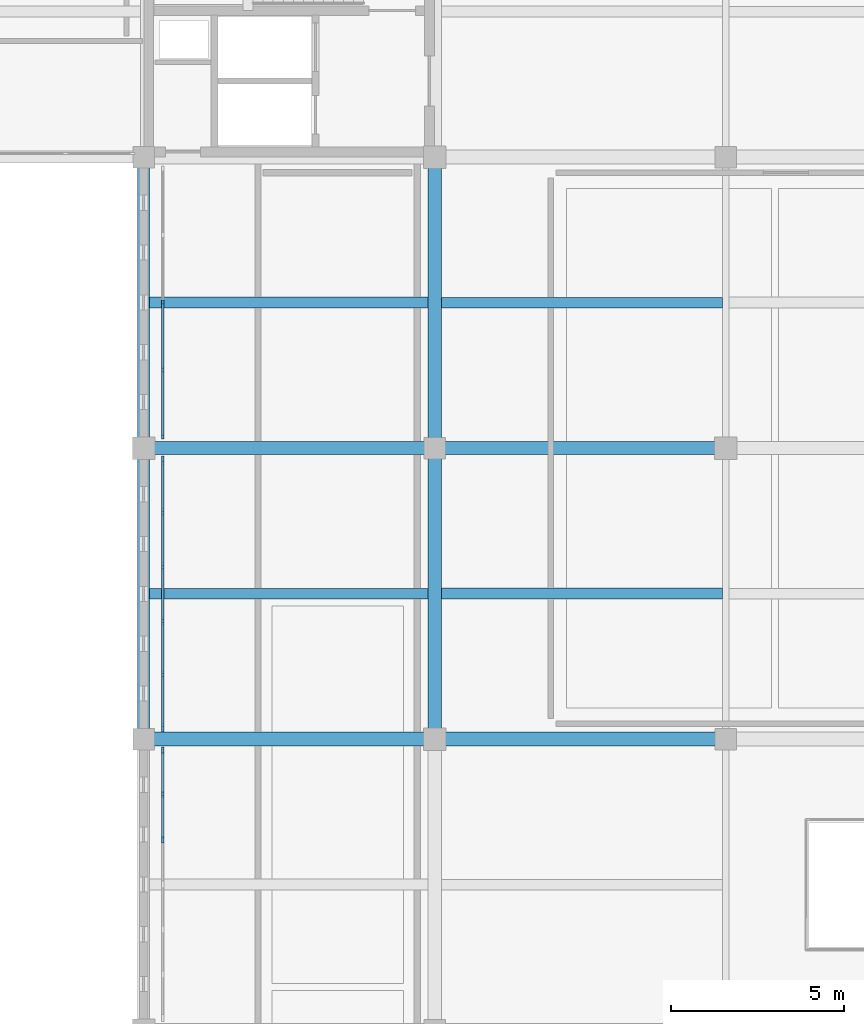
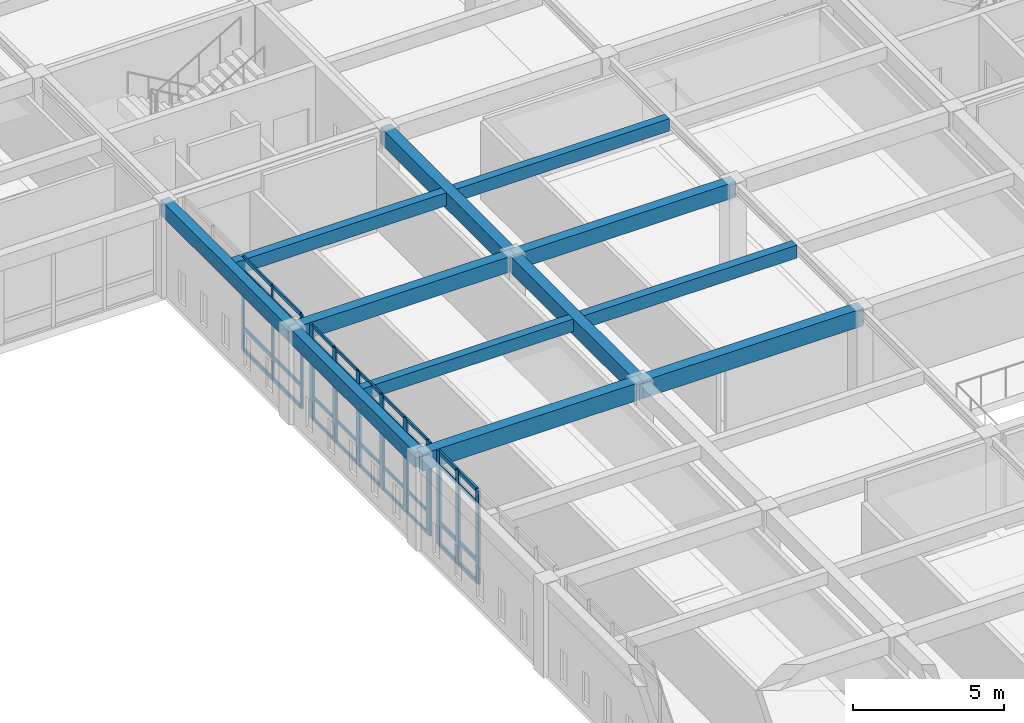
# One storey, part 15 of 47: 48 members, 12 beams, 3 elements without a shape of their own.
"""IFC4 building model written with IfcOpenShell, lengths in metres."""

from ifc_helpers import new_model, si_unit, direction, frame, origin, origin_2d, place, context, subcontext, project, spatial, rectangle, extrude, material, layer, layer_set, material_profile, profile_set, type_object, element, aggregate, save


model = new_model("IFC4")

# Units and contexts
model_context = context("Model", 3, precision=1e-05, world=origin(), true_north=direction((0.0, 1.0)))
body_context = subcontext(model_context, "Body", "Model", "MODEL_VIEW")
ifc_project = project(units=[si_unit("LENGTHUNIT", "METRE"), si_unit("AREAUNIT", "SQUARE_METRE"), si_unit("VOLUMEUNIT", "CUBIC_METRE"), si_unit("PLANEANGLEUNIT", "RADIAN"), si_unit("MASSUNIT", "GRAM", prefix="KILO")], contexts=[model_context])

# Site, building, storey
site_placement = place(None, origin())
site = spatial("IfcSite", under=ifc_project, at=site_placement, CompositionType="ELEMENT")
building_placement = place(site_placement, origin())
building = spatial("IfcBuilding", under=site, at=building_placement, Name="Kveldsbrygga Polytechnic", CompositionType="ELEMENT")
storey_placement = place(building_placement, frame((0.0, 0.0, 13.93994140625)))
storey = spatial("IfcBuildingStorey", under=building, at=storey_placement, Name="L03", CompositionType="ELEMENT", Elevation=13.93994140625)

# Beams
ifc_material_1 = material(Name="Concrete C35/45", Category="concrete")
ifc_material_profile_1 = material_profile(ifc_material_1, rectangle(XDim=0.3798828125, YDim=0.6201171875, at=origin_2d()), Name="RC 380x620")
ifc_profile_set_1 = profile_set([ifc_material_profile_1], Name="Concrete C35/45")
beam_type_1 = type_object("IfcBeamType", Name="BM-RC-380x620", PredefinedType="BEAM", material=ifc_profile_set_1)
beam_1_placement = place(storey_placement, frame((126.0, 75.60009765625, 3.43994140625), z_axis=(1.0, 0.0, 0.0), x_axis=(0.0, 1.0, 0.0)))
element("IfcBeam", 1, at=beam_1_placement, inside=storey, type_object=beam_type_1, Name="Primary Beam BMX-L03-15to16-09", PredefinedType="BEAM", context=body_context, shape_type="SweptSolid", body=[
    extrude(rectangle(XDim=0.3798828125, YDim=0.6201171875, at=origin_2d()), origin(), (0.0, 0.0, 1.0), 8.39990234375),
])
beam_2_placement = place(storey_placement, frame((134.39990234375, 75.60009765625, 3.43994140625), z_axis=(1.0, 0.0, 0.0), x_axis=(0.0, 1.0, 0.0)))
element("IfcBeam", 2, at=beam_2_placement, inside=storey, type_object=beam_type_1, Name="Primary Beam BMX-L03-16to17-09", PredefinedType="BEAM", context=body_context, shape_type="SweptSolid", body=[
    extrude(rectangle(XDim=0.3798828125, YDim=0.6201171875, at=origin_2d()), origin(), (0.0, 0.0, 1.0), 8.400146484375),
])
ifc_material_profile_2 = material_profile(ifc_material_1, rectangle(XDim=0.39990234375, YDim=0.64990234375, at=origin_2d()), Name="RC 400x650")
ifc_profile_set_2 = profile_set([ifc_material_profile_2], Name="Concrete C35/45")
beam_type_2 = type_object("IfcBeamType", Name="BM-RC-400x650", PredefinedType="BEAM", material=ifc_profile_set_2)
beam_3_placement = place(storey_placement, frame((134.39990234375, 67.199951171875, 3.425048828125), z_axis=(0.0, 1.0, 0.0), x_axis=(-1.0, 0.0, 0.0)))
element("IfcBeam", 3, at=beam_3_placement, inside=storey, type_object=beam_type_2, Name="Primary Beam BMY-L03-16-08to09", PredefinedType="BEAM", context=body_context, shape_type="SweptSolid", body=[
    extrude(rectangle(XDim=0.39990234375, YDim=0.64990234375, at=origin_2d()), origin(), (0.0, 0.0, 1.0), 8.400146484375),
])
beam_4_placement = place(storey_placement, frame((134.39990234375, 75.60009765625, 3.425048828125), z_axis=(0.0, 1.0, 0.0), x_axis=(-1.0, 0.0, 0.0)))
element("IfcBeam", 4, at=beam_4_placement, inside=storey, type_object=beam_type_2, Name="Primary Beam BMY-L03-16-09to10", PredefinedType="BEAM", context=body_context, shape_type="SweptSolid", body=[
    extrude(rectangle(XDim=0.39990234375, YDim=0.64990234375, at=origin_2d()), origin(), (0.0, 0.0, 1.0), 8.39990234375),
])
ifc_material_profile_3 = material_profile(ifc_material_1, rectangle(XDim=0.39990234375, YDim=0.699951171875, at=origin_2d()), Name="RC 400x700")
ifc_profile_set_3 = profile_set([ifc_material_profile_3], Name="Concrete C35/45")
beam_type_3 = type_object("IfcBeamType", Name="BM-RC-400x700", PredefinedType="BEAM", material=ifc_profile_set_3)
beam_5_placement = place(storey_placement, frame((126.0, 67.199951171875, 3.400146484375), z_axis=(1.0, 0.0, 0.0), x_axis=(0.0, 1.0, 0.0)))
element("IfcBeam", 5, at=beam_5_placement, inside=storey, type_object=beam_type_3, Name="Primary Beam BMX-L03-15to16-08", PredefinedType="BEAM", context=body_context, shape_type="SweptSolid", body=[
    extrude(rectangle(XDim=0.39990234375, YDim=0.699951171875, at=origin_2d()), origin(), (0.0, 0.0, 1.0), 8.39990234375),
])
beam_6_placement = place(storey_placement, frame((134.39990234375, 67.199951171875, 3.400146484375), z_axis=(1.0, 0.0, 0.0), x_axis=(0.0, 1.0, 0.0)))
element("IfcBeam", 6, at=beam_6_placement, inside=storey, type_object=beam_type_3, Name="Primary Beam BMX-L03-16to17-08", PredefinedType="BEAM", context=body_context, shape_type="SweptSolid", body=[
    extrude(rectangle(XDim=0.39990234375, YDim=0.699951171875, at=origin_2d()), origin(), (0.0, 0.0, 1.0), 8.400146484375),
])
ifc_material_profile_4 = material_profile(ifc_material_1, rectangle(XDim=0.35009765625, YDim=0.60009765625, at=origin_2d()), Name="RC 350x600")
ifc_profile_set_4 = profile_set([ifc_material_profile_4], Name="Concrete C35/45")
beam_type_4 = type_object("IfcBeamType", Name="BM-SPANDREL-600", PredefinedType="T_BEAM", material=ifc_profile_set_4)
beam_7_placement = place(storey_placement, frame((126.0, 67.199951171875, 3.449951171875), z_axis=(0.0, 1.0, 0.0), x_axis=(-1.0, 0.0, 0.0)))
element("IfcBeam", 7, at=beam_7_placement, inside=storey, type_object=beam_type_4, Name="Primary Beam BMY-L03-15-08to09", PredefinedType="T_BEAM", context=body_context, shape_type="SweptSolid", body=[
    extrude(rectangle(XDim=0.35009765625, YDim=0.60009765625, at=origin_2d()), origin(), (0.0, 0.0, 1.0), 8.400146484375),
])
beam_8_placement = place(storey_placement, frame((126.0, 75.60009765625, 3.449951171875), z_axis=(0.0, 1.0, 0.0), x_axis=(-1.0, 0.0, 0.0)))
element("IfcBeam", 8, at=beam_8_placement, inside=storey, type_object=beam_type_4, Name="Primary Beam BMY-L03-15-09to10", PredefinedType="T_BEAM", context=body_context, shape_type="SweptSolid", body=[
    extrude(rectangle(XDim=0.35009765625, YDim=0.60009765625, at=origin_2d()), origin(), (0.0, 0.0, 1.0), 8.39990234375),
])

# Curtain wall, members
ifc_material_2 = material(Name="Anodised aluminium AW-6060", Category="aluminium")
ifc_layer_1 = layer(ifc_material_2, 0.199951171875)
ifc_layer_set_1 = layer_set([ifc_layer_1], Name="Anodised aluminium AW-6060")
curtain_wall_type_1 = type_object("IfcCurtainWallType", Name="CW-LANC-E", PredefinedType="USERDEFINED", material=ifc_layer_set_1)
curtain_wall_1_placement = place(storey_placement, origin())
curtain_wall_1 = element("IfcCurtainWall", 9, at=curtain_wall_1_placement, inside=storey, type_object=curtain_wall_type_1, Name="Curtain Wall CW-L03-Y-15-09", ObjectType="UNITISED CURTAIN WALL", PredefinedType="USERDEFINED")
ifc_material_profile_5 = material_profile(ifc_material_2, rectangle(XDim=0.06005859375, YDim=0.139892578125, at=origin_2d()), Name="ALU 60x140")
ifc_profile_set_5 = profile_set([ifc_material_profile_5], Name="Anodised aluminium AW-6060")
member_type_1 = type_object("IfcMemberType", Name="CW-MUL-140", PredefinedType="MULLION", material=ifc_profile_set_5)
member_1_placement = place(storey_placement, frame((126.550048828125, 75.93994140625, 0.0), z_axis=(0.0, 0.0, 1.0), x_axis=(-1.0, 0.0, 0.0)))
member_1 = element("IfcMember", 10, at=member_1_placement, type_object=member_type_1, Name="CW-05 mullion 1", PredefinedType="MULLION", context=body_context, shape_type="SweptSolid", body=[
    extrude(rectangle(XDim=0.06005859375, YDim=0.139892578125, at=origin_2d()), origin(), (0.0, 0.0, 1.0), 3.780029296875),
])
member_2_placement = place(storey_placement, frame((126.550048828125, 77.858642578125, 0.0), z_axis=(0.0, 0.0, 1.0), x_axis=(-1.0, 0.0, 0.0)))
member_2 = element("IfcMember", 11, at=member_2_placement, type_object=member_type_1, Name="CW-05 mullion 2", PredefinedType="MULLION", context=body_context, shape_type="SweptSolid", body=[
    extrude(rectangle(XDim=0.06005859375, YDim=0.139892578125, at=origin_2d()), origin(), (0.0, 0.0, 1.0), 3.780029296875),
])
member_3_placement = place(storey_placement, frame((126.550048828125, 79.8076171875, 0.0), z_axis=(0.0, 0.0, 1.0), x_axis=(-1.0, 0.0, 0.0)))
member_3 = element("IfcMember", 12, at=member_3_placement, type_object=member_type_1, Name="CW-05 mullion 3", PredefinedType="MULLION", context=body_context, shape_type="SweptSolid", body=[
    extrude(rectangle(XDim=0.06005859375, YDim=0.139892578125, at=origin_2d()), origin(), (0.0, 0.0, 1.0), 3.780029296875),
])

ifc_layer_2 = layer(ifc_material_2, 0.159912109375)
ifc_layer_set_2 = layer_set([ifc_layer_2], Name="Anodised aluminium AW-6060")
curtain_wall_type_2 = type_object("IfcCurtainWallType", Name="CW-CLER-C", PredefinedType="USERDEFINED", material=ifc_layer_set_2)
curtain_wall_2_placement = place(storey_placement, origin())
curtain_wall_2 = element("IfcCurtainWall", 13, at=curtain_wall_2_placement, inside=storey, type_object=curtain_wall_type_2, Name="Curtain Wall CW-L03-Y-15-07", ObjectType="STICK CURTAIN WALL", PredefinedType="USERDEFINED")
ifc_material_profile_6 = material_profile(ifc_material_2, rectangle(XDim=0.074951171875, YDim=0.199951171875, at=origin_2d()), Name="ALU 75x200")
ifc_profile_set_6 = profile_set([ifc_material_profile_6], Name="Anodised aluminium AW-6060")
member_type_2 = type_object("IfcMemberType", Name="CW-MUL-200", PredefinedType="MULLION", material=ifc_profile_set_6)
member_4_placement = place(storey_placement, frame((126.550048828125, 64.306640625, 0.0), z_axis=(0.0, 0.0, 1.0), x_axis=(-1.0, 0.0, 0.0)))
member_4 = element("IfcMember", 14, at=member_4_placement, type_object=member_type_2, Name="CW-03 mullion 5", PredefinedType="MULLION", context=body_context, shape_type="SweptSolid", body=[
    extrude(rectangle(XDim=0.074951171875, YDim=0.199951171875, at=origin_2d()), origin(), (0.0, 0.0, 1.0), 3.780029296875),
])
member_5_placement = place(storey_placement, frame((126.550048828125, 65.605712890625, 0.0), z_axis=(0.0, 0.0, 1.0), x_axis=(-1.0, 0.0, 0.0)))
member_5 = element("IfcMember", 15, at=member_5_placement, type_object=member_type_2, Name="CW-03 mullion 6", PredefinedType="MULLION", context=body_context, shape_type="SweptSolid", body=[
    extrude(rectangle(XDim=0.074951171875, YDim=0.199951171875, at=origin_2d()), origin(), (0.0, 0.0, 1.0), 3.780029296875),
])
member_6_placement = place(storey_placement, frame((126.550048828125, 66.867431640625, 0.0), z_axis=(0.0, 0.0, 1.0), x_axis=(-1.0, 0.0, 0.0)))
member_6 = element("IfcMember", 16, at=member_6_placement, type_object=member_type_2, Name="CW-03 mullion 7", PredefinedType="MULLION", context=body_context, shape_type="SweptSolid", body=[
    extrude(rectangle(XDim=0.074951171875, YDim=0.199951171875, at=origin_2d()), origin(), (0.0, 0.0, 1.0), 3.780029296875),
])

ifc_layer_3 = layer(ifc_material_2, 0.179931640625)
ifc_layer_set_3 = layer_set([ifc_layer_3], Name="Anodised aluminium AW-6060")
curtain_wall_type_3 = type_object("IfcCurtainWallType", Name="CW-LANC-D", PredefinedType="USERDEFINED", material=ifc_layer_set_3)
curtain_wall_3_placement = place(storey_placement, origin())
curtain_wall_3 = element("IfcCurtainWall", 17, at=curtain_wall_3_placement, inside=storey, type_object=curtain_wall_type_3, Name="Curtain Wall CW-L03-Y-15-08", ObjectType="UNITISED CURTAIN WALL", PredefinedType="USERDEFINED")
ifc_material_profile_7 = material_profile(ifc_material_2, rectangle(XDim=0.074951171875, YDim=0.239990234375, at=origin_2d()), Name="ALU 75x240")
ifc_profile_set_7 = profile_set([ifc_material_profile_7], Name="Anodised aluminium AW-6060")
member_type_3 = type_object("IfcMemberType", Name="CW-MUL-240", PredefinedType="MULLION", material=ifc_profile_set_7)
member_7_placement = place(storey_placement, frame((126.550048828125, 67.532470703125, 0.0), z_axis=(0.0, 0.0, 1.0), x_axis=(-1.0, 0.0, 0.0)))
member_7 = element("IfcMember", 18, at=member_7_placement, type_object=member_type_3, Name="CW-04 mullion 1", PredefinedType="MULLION", context=body_context, shape_type="SweptSolid", body=[
    extrude(rectangle(XDim=0.074951171875, YDim=0.239990234375, at=origin_2d()), origin(), (0.0, 0.0, 1.0), 3.780029296875),
])
member_8_placement = place(storey_placement, frame((126.550048828125, 69.053955078125, 0.0), z_axis=(0.0, 0.0, 1.0), x_axis=(-1.0, 0.0, 0.0)))
member_8 = element("IfcMember", 19, at=member_8_placement, type_object=member_type_3, Name="CW-04 mullion 2", PredefinedType="MULLION", context=body_context, shape_type="SweptSolid", body=[
    extrude(rectangle(XDim=0.074951171875, YDim=0.239990234375, at=origin_2d()), origin(), (0.0, 0.0, 1.0), 3.780029296875),
])
member_9_placement = place(storey_placement, frame((126.550048828125, 70.613037109375, 0.0), z_axis=(0.0, 0.0, 1.0), x_axis=(-1.0, 0.0, 0.0)))
member_9 = element("IfcMember", 20, at=member_9_placement, type_object=member_type_3, Name="CW-04 mullion 3", PredefinedType="MULLION", context=body_context, shape_type="SweptSolid", body=[
    extrude(rectangle(XDim=0.074951171875, YDim=0.239990234375, at=origin_2d()), origin(), (0.0, 0.0, 1.0), 3.780029296875),
])
member_10_placement = place(storey_placement, frame((126.550048828125, 72.172119140625, 0.0), z_axis=(0.0, 0.0, 1.0), x_axis=(-1.0, 0.0, 0.0)))
member_10 = element("IfcMember", 21, at=member_10_placement, type_object=member_type_3, Name="CW-04 mullion 4", PredefinedType="MULLION", context=body_context, shape_type="SweptSolid", body=[
    extrude(rectangle(XDim=0.074951171875, YDim=0.239990234375, at=origin_2d()), origin(), (0.0, 0.0, 1.0), 3.780029296875),
])
member_11_placement = place(storey_placement, frame((126.550048828125, 73.73095703125, 0.0), z_axis=(0.0, 0.0, 1.0), x_axis=(-1.0, 0.0, 0.0)))
member_11 = element("IfcMember", 22, at=member_11_placement, type_object=member_type_3, Name="CW-04 mullion 5", PredefinedType="MULLION", context=body_context, shape_type="SweptSolid", body=[
    extrude(rectangle(XDim=0.074951171875, YDim=0.239990234375, at=origin_2d()), origin(), (0.0, 0.0, 1.0), 3.780029296875),
])
member_12_placement = place(storey_placement, frame((126.550048828125, 75.25244140625, 0.0), z_axis=(0.0, 0.0, 1.0), x_axis=(-1.0, 0.0, 0.0)))
member_12 = element("IfcMember", 23, at=member_12_placement, type_object=member_type_3, Name="CW-04 mullion 6", PredefinedType="MULLION", context=body_context, shape_type="SweptSolid", body=[
    extrude(rectangle(XDim=0.074951171875, YDim=0.239990234375, at=origin_2d()), origin(), (0.0, 0.0, 1.0), 3.780029296875),
])
ifc_material_profile_8 = material_profile(ifc_material_2, rectangle(XDim=0.06005859375, YDim=0.1201171875, at=origin_2d()), Name="ALU 60x120")
ifc_profile_set_8 = profile_set([ifc_material_profile_8], Name="Anodised aluminium AW-6060")
member_type_4 = type_object("IfcMemberType", Name="CW-TRN-120", PredefinedType="USERDEFINED", material=ifc_profile_set_8)
member_13_placement = place(storey_placement, frame((126.550048828125, 67.570068359375, 0.030029296875), z_axis=(0.0, 1.0, 0.0), x_axis=(-1.0, 0.0, 0.0)))
member_13 = element("IfcMember", 24, at=member_13_placement, type_object=member_type_4, Name="CW-04 transom 1.1", ObjectType="TRANSOM", PredefinedType="USERDEFINED", context=body_context, shape_type="SweptSolid", body=[
    extrude(rectangle(XDim=0.06005859375, YDim=0.1201171875, at=origin_2d()), origin(), (0.0, 0.0, 1.0), 1.446533203125),
])
member_14_placement = place(storey_placement, frame((126.550048828125, 67.570068359375, 0.900146484375), z_axis=(0.0, 1.0, 0.0), x_axis=(-1.0, 0.0, 0.0)))
member_14 = element("IfcMember", 25, at=member_14_placement, type_object=member_type_4, Name="CW-04 transom 1.2", ObjectType="TRANSOM", PredefinedType="USERDEFINED", context=body_context, shape_type="SweptSolid", body=[
    extrude(rectangle(XDim=0.06005859375, YDim=0.1201171875, at=origin_2d()), origin(), (0.0, 0.0, 1.0), 1.446533203125),
])
member_15_placement = place(storey_placement, frame((126.550048828125, 67.570068359375, 3.22998046875), z_axis=(0.0, 1.0, 0.0), x_axis=(-1.0, 0.0, 0.0)))
member_15 = element("IfcMember", 26, at=member_15_placement, type_object=member_type_4, Name="CW-04 transom 1.3", ObjectType="TRANSOM", PredefinedType="USERDEFINED", context=body_context, shape_type="SweptSolid", body=[
    extrude(rectangle(XDim=0.06005859375, YDim=0.1201171875, at=origin_2d()), origin(), (0.0, 0.0, 1.0), 1.446533203125),
])
member_16_placement = place(storey_placement, frame((126.550048828125, 67.570068359375, 3.75), z_axis=(0.0, 1.0, 0.0), x_axis=(-1.0, 0.0, 0.0)))
member_16 = element("IfcMember", 27, at=member_16_placement, type_object=member_type_4, Name="CW-04 transom 1.4", ObjectType="TRANSOM", PredefinedType="USERDEFINED", context=body_context, shape_type="SweptSolid", body=[
    extrude(rectangle(XDim=0.06005859375, YDim=0.1201171875, at=origin_2d()), origin(), (0.0, 0.0, 1.0), 1.446533203125),
])
member_17_placement = place(storey_placement, frame((126.550048828125, 69.091552734375, 0.030029296875), z_axis=(0.0, 1.0, 0.0), x_axis=(-1.0, 0.0, 0.0)))
member_17 = element("IfcMember", 28, at=member_17_placement, type_object=member_type_4, Name="CW-04 transom 2.1", ObjectType="TRANSOM", PredefinedType="USERDEFINED", context=body_context, shape_type="SweptSolid", body=[
    extrude(rectangle(XDim=0.06005859375, YDim=0.1201171875, at=origin_2d()), origin(), (0.0, 0.0, 1.0), 1.48388671875),
])
member_18_placement = place(storey_placement, frame((126.550048828125, 69.091552734375, 0.900146484375), z_axis=(0.0, 1.0, 0.0), x_axis=(-1.0, 0.0, 0.0)))
member_18 = element("IfcMember", 29, at=member_18_placement, type_object=member_type_4, Name="CW-04 transom 2.2", ObjectType="TRANSOM", PredefinedType="USERDEFINED", context=body_context, shape_type="SweptSolid", body=[
    extrude(rectangle(XDim=0.06005859375, YDim=0.1201171875, at=origin_2d()), origin(), (0.0, 0.0, 1.0), 1.48388671875),
])
member_19_placement = place(storey_placement, frame((126.550048828125, 69.091552734375, 3.22998046875), z_axis=(0.0, 1.0, 0.0), x_axis=(-1.0, 0.0, 0.0)))
member_19 = element("IfcMember", 30, at=member_19_placement, type_object=member_type_4, Name="CW-04 transom 2.3", ObjectType="TRANSOM", PredefinedType="USERDEFINED", context=body_context, shape_type="SweptSolid", body=[
    extrude(rectangle(XDim=0.06005859375, YDim=0.1201171875, at=origin_2d()), origin(), (0.0, 0.0, 1.0), 1.48388671875),
])
member_20_placement = place(storey_placement, frame((126.550048828125, 69.091552734375, 3.75), z_axis=(0.0, 1.0, 0.0), x_axis=(-1.0, 0.0, 0.0)))
member_20 = element("IfcMember", 31, at=member_20_placement, type_object=member_type_4, Name="CW-04 transom 2.4", ObjectType="TRANSOM", PredefinedType="USERDEFINED", context=body_context, shape_type="SweptSolid", body=[
    extrude(rectangle(XDim=0.06005859375, YDim=0.1201171875, at=origin_2d()), origin(), (0.0, 0.0, 1.0), 1.48388671875),
])
member_21_placement = place(storey_placement, frame((126.550048828125, 70.650390625, 0.030029296875), z_axis=(0.0, 1.0, 0.0), x_axis=(-1.0, 0.0, 0.0)))
member_21 = element("IfcMember", 32, at=member_21_placement, type_object=member_type_4, Name="CW-04 transom 3.1", ObjectType="TRANSOM", PredefinedType="USERDEFINED", context=body_context, shape_type="SweptSolid", body=[
    extrude(rectangle(XDim=0.06005859375, YDim=0.1201171875, at=origin_2d()), origin(), (0.0, 0.0, 1.0), 1.484130859375),
])
member_22_placement = place(storey_placement, frame((126.550048828125, 70.650390625, 0.900146484375), z_axis=(0.0, 1.0, 0.0), x_axis=(-1.0, 0.0, 0.0)))
member_22 = element("IfcMember", 33, at=member_22_placement, type_object=member_type_4, Name="CW-04 transom 3.2", ObjectType="TRANSOM", PredefinedType="USERDEFINED", context=body_context, shape_type="SweptSolid", body=[
    extrude(rectangle(XDim=0.06005859375, YDim=0.1201171875, at=origin_2d()), origin(), (0.0, 0.0, 1.0), 1.484130859375),
])
member_23_placement = place(storey_placement, frame((126.550048828125, 70.650390625, 3.22998046875), z_axis=(0.0, 1.0, 0.0), x_axis=(-1.0, 0.0, 0.0)))
member_23 = element("IfcMember", 34, at=member_23_placement, type_object=member_type_4, Name="CW-04 transom 3.3", ObjectType="TRANSOM", PredefinedType="USERDEFINED", context=body_context, shape_type="SweptSolid", body=[
    extrude(rectangle(XDim=0.06005859375, YDim=0.1201171875, at=origin_2d()), origin(), (0.0, 0.0, 1.0), 1.484130859375),
])
member_24_placement = place(storey_placement, frame((126.550048828125, 70.650390625, 3.75), z_axis=(0.0, 1.0, 0.0), x_axis=(-1.0, 0.0, 0.0)))
member_24 = element("IfcMember", 35, at=member_24_placement, type_object=member_type_4, Name="CW-04 transom 3.4", ObjectType="TRANSOM", PredefinedType="USERDEFINED", context=body_context, shape_type="SweptSolid", body=[
    extrude(rectangle(XDim=0.06005859375, YDim=0.1201171875, at=origin_2d()), origin(), (0.0, 0.0, 1.0), 1.484130859375),
])
member_25_placement = place(storey_placement, frame((126.550048828125, 72.20947265625, 0.030029296875), z_axis=(0.0, 1.0, 0.0), x_axis=(-1.0, 0.0, 0.0)))
member_25 = element("IfcMember", 36, at=member_25_placement, type_object=member_type_4, Name="CW-04 transom 4.1", ObjectType="TRANSOM", PredefinedType="USERDEFINED", context=body_context, shape_type="SweptSolid", body=[
    extrude(rectangle(XDim=0.06005859375, YDim=0.1201171875, at=origin_2d()), origin(), (0.0, 0.0, 1.0), 1.484130859375),
])
member_26_placement = place(storey_placement, frame((126.550048828125, 72.20947265625, 0.900146484375), z_axis=(0.0, 1.0, 0.0), x_axis=(-1.0, 0.0, 0.0)))
member_26 = element("IfcMember", 37, at=member_26_placement, type_object=member_type_4, Name="CW-04 transom 4.2", ObjectType="TRANSOM", PredefinedType="USERDEFINED", context=body_context, shape_type="SweptSolid", body=[
    extrude(rectangle(XDim=0.06005859375, YDim=0.1201171875, at=origin_2d()), origin(), (0.0, 0.0, 1.0), 1.484130859375),
])
member_27_placement = place(storey_placement, frame((126.550048828125, 72.20947265625, 3.22998046875), z_axis=(0.0, 1.0, 0.0), x_axis=(-1.0, 0.0, 0.0)))
member_27 = element("IfcMember", 38, at=member_27_placement, type_object=member_type_4, Name="CW-04 transom 4.3", ObjectType="TRANSOM", PredefinedType="USERDEFINED", context=body_context, shape_type="SweptSolid", body=[
    extrude(rectangle(XDim=0.06005859375, YDim=0.1201171875, at=origin_2d()), origin(), (0.0, 0.0, 1.0), 1.484130859375),
])
member_28_placement = place(storey_placement, frame((126.550048828125, 72.20947265625, 3.75), z_axis=(0.0, 1.0, 0.0), x_axis=(-1.0, 0.0, 0.0)))
member_28 = element("IfcMember", 39, at=member_28_placement, type_object=member_type_4, Name="CW-04 transom 4.4", ObjectType="TRANSOM", PredefinedType="USERDEFINED", context=body_context, shape_type="SweptSolid", body=[
    extrude(rectangle(XDim=0.06005859375, YDim=0.1201171875, at=origin_2d()), origin(), (0.0, 0.0, 1.0), 1.484130859375),
])
member_29_placement = place(storey_placement, frame((126.550048828125, 73.7685546875, 0.030029296875), z_axis=(0.0, 1.0, 0.0), x_axis=(-1.0, 0.0, 0.0)))
member_29 = element("IfcMember", 40, at=member_29_placement, type_object=member_type_4, Name="CW-04 transom 5.1", ObjectType="TRANSOM", PredefinedType="USERDEFINED", context=body_context, shape_type="SweptSolid", body=[
    extrude(rectangle(XDim=0.06005859375, YDim=0.1201171875, at=origin_2d()), origin(), (0.0, 0.0, 1.0), 1.446533203125),
])
member_30_placement = place(storey_placement, frame((126.550048828125, 73.7685546875, 0.900146484375), z_axis=(0.0, 1.0, 0.0), x_axis=(-1.0, 0.0, 0.0)))
member_30 = element("IfcMember", 41, at=member_30_placement, type_object=member_type_4, Name="CW-04 transom 5.2", ObjectType="TRANSOM", PredefinedType="USERDEFINED", context=body_context, shape_type="SweptSolid", body=[
    extrude(rectangle(XDim=0.06005859375, YDim=0.1201171875, at=origin_2d()), origin(), (0.0, 0.0, 1.0), 1.446533203125),
])
member_31_placement = place(storey_placement, frame((126.550048828125, 73.7685546875, 3.22998046875), z_axis=(0.0, 1.0, 0.0), x_axis=(-1.0, 0.0, 0.0)))
member_31 = element("IfcMember", 42, at=member_31_placement, type_object=member_type_4, Name="CW-04 transom 5.3", ObjectType="TRANSOM", PredefinedType="USERDEFINED", context=body_context, shape_type="SweptSolid", body=[
    extrude(rectangle(XDim=0.06005859375, YDim=0.1201171875, at=origin_2d()), origin(), (0.0, 0.0, 1.0), 1.446533203125),
])
member_32_placement = place(storey_placement, frame((126.550048828125, 73.7685546875, 3.75), z_axis=(0.0, 1.0, 0.0), x_axis=(-1.0, 0.0, 0.0)))
member_32 = element("IfcMember", 43, at=member_32_placement, type_object=member_type_4, Name="CW-04 transom 5.4", ObjectType="TRANSOM", PredefinedType="USERDEFINED", context=body_context, shape_type="SweptSolid", body=[
    extrude(rectangle(XDim=0.06005859375, YDim=0.1201171875, at=origin_2d()), origin(), (0.0, 0.0, 1.0), 1.446533203125),
])
aggregate(curtain_wall_3, [member_7, member_8, member_9, member_10, member_11, member_12, member_13, member_14, member_15, member_16, member_17, member_18, member_19, member_20, member_21, member_22, member_23, member_24, member_25, member_26, member_27, member_28, member_29, member_30, member_31, member_32])

# Member
ifc_material_profile_9 = material_profile(ifc_material_2, rectangle(XDim=0.06005859375, YDim=0.14990234375, at=origin_2d()), Name="ALU 60x150")
ifc_profile_set_9 = profile_set([ifc_material_profile_9], Name="Anodised aluminium AW-6060")
member_type_5 = type_object("IfcMemberType", Name="CW-TRN-150", PredefinedType="USERDEFINED", material=ifc_profile_set_9)
member_33_placement = place(storey_placement, frame((126.550048828125, 75.969970703125, 0.030029296875), z_axis=(0.0, 1.0, 0.0), x_axis=(-1.0, 0.0, 0.0)))
member_33 = element("IfcMember", 44, at=member_33_placement, type_object=member_type_5, Name="CW-05 transom 1.1", ObjectType="TRANSOM", PredefinedType="USERDEFINED", context=body_context, shape_type="SweptSolid", body=[
    extrude(rectangle(XDim=0.06005859375, YDim=0.14990234375, at=origin_2d()), origin(), (0.0, 0.0, 1.0), 1.85888671875),
])

member_34_placement = place(storey_placement, frame((126.550048828125, 75.969970703125, 0.900146484375), z_axis=(0.0, 1.0, 0.0), x_axis=(-1.0, 0.0, 0.0)))
member_34 = element("IfcMember", 45, at=member_34_placement, type_object=member_type_5, Name="CW-05 transom 1.2", ObjectType="TRANSOM", PredefinedType="USERDEFINED", context=body_context, shape_type="SweptSolid", body=[
    extrude(rectangle(XDim=0.06005859375, YDim=0.14990234375, at=origin_2d()), origin(), (0.0, 0.0, 1.0), 1.85888671875),
])

member_35_placement = place(storey_placement, frame((126.550048828125, 75.969970703125, 3.22998046875), z_axis=(0.0, 1.0, 0.0), x_axis=(-1.0, 0.0, 0.0)))
member_35 = element("IfcMember", 46, at=member_35_placement, type_object=member_type_5, Name="CW-05 transom 1.3", ObjectType="TRANSOM", PredefinedType="USERDEFINED", context=body_context, shape_type="SweptSolid", body=[
    extrude(rectangle(XDim=0.06005859375, YDim=0.14990234375, at=origin_2d()), origin(), (0.0, 0.0, 1.0), 1.85888671875),
])

member_36_placement = place(storey_placement, frame((126.550048828125, 75.969970703125, 3.75), z_axis=(0.0, 1.0, 0.0), x_axis=(-1.0, 0.0, 0.0)))
member_36 = element("IfcMember", 47, at=member_36_placement, type_object=member_type_5, Name="CW-05 transom 1.4", ObjectType="TRANSOM", PredefinedType="USERDEFINED", context=body_context, shape_type="SweptSolid", body=[
    extrude(rectangle(XDim=0.06005859375, YDim=0.14990234375, at=origin_2d()), origin(), (0.0, 0.0, 1.0), 1.85888671875),
])

member_37_placement = place(storey_placement, frame((126.550048828125, 77.888671875, 0.030029296875), z_axis=(0.0, 1.0, 0.0), x_axis=(-1.0, 0.0, 0.0)))
member_37 = element("IfcMember", 48, at=member_37_placement, type_object=member_type_5, Name="CW-05 transom 2.1", ObjectType="TRANSOM", PredefinedType="USERDEFINED", context=body_context, shape_type="SweptSolid", body=[
    extrude(rectangle(XDim=0.06005859375, YDim=0.14990234375, at=origin_2d()), origin(), (0.0, 0.0, 1.0), 1.888916015625),
])

member_38_placement = place(storey_placement, frame((126.550048828125, 77.888671875, 0.900146484375), z_axis=(0.0, 1.0, 0.0), x_axis=(-1.0, 0.0, 0.0)))
member_38 = element("IfcMember", 49, at=member_38_placement, type_object=member_type_5, Name="CW-05 transom 2.2", ObjectType="TRANSOM", PredefinedType="USERDEFINED", context=body_context, shape_type="SweptSolid", body=[
    extrude(rectangle(XDim=0.06005859375, YDim=0.14990234375, at=origin_2d()), origin(), (0.0, 0.0, 1.0), 1.888916015625),
])

member_39_placement = place(storey_placement, frame((126.550048828125, 77.888671875, 3.22998046875), z_axis=(0.0, 1.0, 0.0), x_axis=(-1.0, 0.0, 0.0)))
member_39 = element("IfcMember", 50, at=member_39_placement, type_object=member_type_5, Name="CW-05 transom 2.3", ObjectType="TRANSOM", PredefinedType="USERDEFINED", context=body_context, shape_type="SweptSolid", body=[
    extrude(rectangle(XDim=0.06005859375, YDim=0.14990234375, at=origin_2d()), origin(), (0.0, 0.0, 1.0), 1.888916015625),
])

member_40_placement = place(storey_placement, frame((126.550048828125, 77.888671875, 3.75), z_axis=(0.0, 1.0, 0.0), x_axis=(-1.0, 0.0, 0.0)))
member_40 = element("IfcMember", 51, at=member_40_placement, type_object=member_type_5, Name="CW-05 transom 2.4", ObjectType="TRANSOM", PredefinedType="USERDEFINED", context=body_context, shape_type="SweptSolid", body=[
    extrude(rectangle(XDim=0.06005859375, YDim=0.14990234375, at=origin_2d()), origin(), (0.0, 0.0, 1.0), 1.888916015625),
])

aggregate(curtain_wall_1, [member_1, member_2, member_3, member_33, member_34, member_35, member_36, member_37, member_38, member_39, member_40])

ifc_material_profile_10 = material_profile(ifc_material_2, rectangle(XDim=0.074951171875, YDim=0.159912109375, at=origin_2d()), Name="ALU 75x160")
ifc_profile_set_10 = profile_set([ifc_material_profile_10], Name="Anodised aluminium AW-6060")
member_type_6 = type_object("IfcMemberType", Name="CW-TRN-160", PredefinedType="USERDEFINED", material=ifc_profile_set_10)
member_41_placement = place(storey_placement, frame((126.550048828125, 64.34423828125, 0.03759765625), z_axis=(0.0, 1.0, 0.0), x_axis=(-1.0, 0.0, 0.0)))
member_41 = element("IfcMember", 52, at=member_41_placement, type_object=member_type_6, Name="CW-03 transom 5.1", ObjectType="TRANSOM", PredefinedType="USERDEFINED", context=body_context, shape_type="SweptSolid", body=[
    extrude(rectangle(XDim=0.074951171875, YDim=0.159912109375, at=origin_2d()), origin(), (0.0, 0.0, 1.0), 1.22412109375),
])

member_42_placement = place(storey_placement, frame((126.550048828125, 64.34423828125, 0.900146484375), z_axis=(0.0, 1.0, 0.0), x_axis=(-1.0, 0.0, 0.0)))
member_42 = element("IfcMember", 53, at=member_42_placement, type_object=member_type_6, Name="CW-03 transom 5.2", ObjectType="TRANSOM", PredefinedType="USERDEFINED", context=body_context, shape_type="SweptSolid", body=[
    extrude(rectangle(XDim=0.074951171875, YDim=0.159912109375, at=origin_2d()), origin(), (0.0, 0.0, 1.0), 1.22412109375),
])

member_43_placement = place(storey_placement, frame((126.550048828125, 64.34423828125, 3.22998046875), z_axis=(0.0, 1.0, 0.0), x_axis=(-1.0, 0.0, 0.0)))
member_43 = element("IfcMember", 54, at=member_43_placement, type_object=member_type_6, Name="CW-03 transom 5.3", ObjectType="TRANSOM", PredefinedType="USERDEFINED", context=body_context, shape_type="SweptSolid", body=[
    extrude(rectangle(XDim=0.074951171875, YDim=0.159912109375, at=origin_2d()), origin(), (0.0, 0.0, 1.0), 1.22412109375),
])

member_44_placement = place(storey_placement, frame((126.550048828125, 64.34423828125, 3.74267578125), z_axis=(0.0, 1.0, 0.0), x_axis=(-1.0, 0.0, 0.0)))
member_44 = element("IfcMember", 55, at=member_44_placement, type_object=member_type_6, Name="CW-03 transom 5.4", ObjectType="TRANSOM", PredefinedType="USERDEFINED", context=body_context, shape_type="SweptSolid", body=[
    extrude(rectangle(XDim=0.074951171875, YDim=0.159912109375, at=origin_2d()), origin(), (0.0, 0.0, 1.0), 1.22412109375),
])

member_45_placement = place(storey_placement, frame((126.550048828125, 65.643310546875, 0.03759765625), z_axis=(0.0, 1.0, 0.0), x_axis=(-1.0, 0.0, 0.0)))
member_45 = element("IfcMember", 56, at=member_45_placement, type_object=member_type_6, Name="CW-03 transom 6.1", ObjectType="TRANSOM", PredefinedType="USERDEFINED", context=body_context, shape_type="SweptSolid", body=[
    extrude(rectangle(XDim=0.074951171875, YDim=0.159912109375, at=origin_2d()), origin(), (0.0, 0.0, 1.0), 1.186767578125),
])

member_46_placement = place(storey_placement, frame((126.550048828125, 65.643310546875, 0.900146484375), z_axis=(0.0, 1.0, 0.0), x_axis=(-1.0, 0.0, 0.0)))
member_46 = element("IfcMember", 57, at=member_46_placement, type_object=member_type_6, Name="CW-03 transom 6.2", ObjectType="TRANSOM", PredefinedType="USERDEFINED", context=body_context, shape_type="SweptSolid", body=[
    extrude(rectangle(XDim=0.074951171875, YDim=0.159912109375, at=origin_2d()), origin(), (0.0, 0.0, 1.0), 1.186767578125),
])

member_47_placement = place(storey_placement, frame((126.550048828125, 65.643310546875, 3.22998046875), z_axis=(0.0, 1.0, 0.0), x_axis=(-1.0, 0.0, 0.0)))
member_47 = element("IfcMember", 58, at=member_47_placement, type_object=member_type_6, Name="CW-03 transom 6.3", ObjectType="TRANSOM", PredefinedType="USERDEFINED", context=body_context, shape_type="SweptSolid", body=[
    extrude(rectangle(XDim=0.074951171875, YDim=0.159912109375, at=origin_2d()), origin(), (0.0, 0.0, 1.0), 1.186767578125),
])

member_48_placement = place(storey_placement, frame((126.550048828125, 65.643310546875, 3.74267578125), z_axis=(0.0, 1.0, 0.0), x_axis=(-1.0, 0.0, 0.0)))
member_48 = element("IfcMember", 59, at=member_48_placement, type_object=member_type_6, Name="CW-03 transom 6.4", ObjectType="TRANSOM", PredefinedType="USERDEFINED", context=body_context, shape_type="SweptSolid", body=[
    extrude(rectangle(XDim=0.074951171875, YDim=0.159912109375, at=origin_2d()), origin(), (0.0, 0.0, 1.0), 1.186767578125),
])

aggregate(curtain_wall_2, [member_4, member_5, member_6, member_41, member_42, member_43, member_44, member_45, member_46, member_47, member_48])

# Beams
ifc_material_profile_11 = material_profile(ifc_material_1, rectangle(XDim=0.300048828125, YDim=0.5, at=origin_2d()), Name="RC 300x500")
ifc_profile_set_11 = profile_set([ifc_material_profile_11], Name="Concrete C35/45")
beam_type_5 = type_object("IfcBeamType", Name="JST-RC-300x500", PredefinedType="JOIST", material=ifc_profile_set_11)
beam_9_placement = place(storey_placement, frame((126.175048828125, 71.39990234375, 3.5), z_axis=(1.0, 0.0, 0.0), x_axis=(0.0, 1.0, 0.0)))
element("IfcBeam", 60, at=beam_9_placement, inside=storey, type_object=beam_type_5, Name="Secondary Joist JST-L03-15-08", PredefinedType="JOIST", context=body_context, shape_type="SweptSolid", body=[
    extrude(rectangle(XDim=0.300048828125, YDim=0.5, at=origin_2d()), origin(), (0.0, 0.0, 1.0), 8.02490234375),
])
beam_10_placement = place(storey_placement, frame((134.60009765625, 79.800048828125, 3.5), z_axis=(1.0, 0.0, 0.0), x_axis=(0.0, 1.0, 0.0)))
element("IfcBeam", 61, at=beam_10_placement, inside=storey, type_object=beam_type_5, Name="Secondary Joist JST-L03-16-09", PredefinedType="JOIST", context=body_context, shape_type="SweptSolid", body=[
    extrude(rectangle(XDim=0.300048828125, YDim=0.5, at=origin_2d()), origin(), (0.0, 0.0, 1.0), 8.10986328125),
])
ifc_material_profile_12 = material_profile(ifc_material_1, rectangle(XDim=0.320068359375, YDim=0.52001953125, at=origin_2d()), Name="RC 320x520")
ifc_profile_set_12 = profile_set([ifc_material_profile_12], Name="Concrete C35/45")
beam_type_6 = type_object("IfcBeamType", Name="JST-RC-320x520", PredefinedType="JOIST", material=ifc_profile_set_12)
beam_11_placement = place(storey_placement, frame((126.175048828125, 79.800048828125, 3.489990234375), z_axis=(1.0, 0.0, 0.0), x_axis=(0.0, 1.0, 0.0)))
element("IfcBeam", 62, at=beam_11_placement, inside=storey, type_object=beam_type_6, Name="Secondary Joist JST-L03-15-09", PredefinedType="JOIST", context=body_context, shape_type="SweptSolid", body=[
    extrude(rectangle(XDim=0.320068359375, YDim=0.52001953125, at=origin_2d()), origin(), (0.0, 0.0, 1.0), 8.02490234375),
])
beam_12_placement = place(storey_placement, frame((134.60009765625, 71.39990234375, 3.489990234375), z_axis=(1.0, 0.0, 0.0), x_axis=(0.0, 1.0, 0.0)))
element("IfcBeam", 63, at=beam_12_placement, inside=storey, type_object=beam_type_6, Name="Secondary Joist JST-L03-16-08", PredefinedType="JOIST", context=body_context, shape_type="SweptSolid", body=[
    extrude(rectangle(XDim=0.320068359375, YDim=0.52001953125, at=origin_2d()), origin(), (0.0, 0.0, 1.0), 8.10986328125),
])

save(model, "model.ifc")
